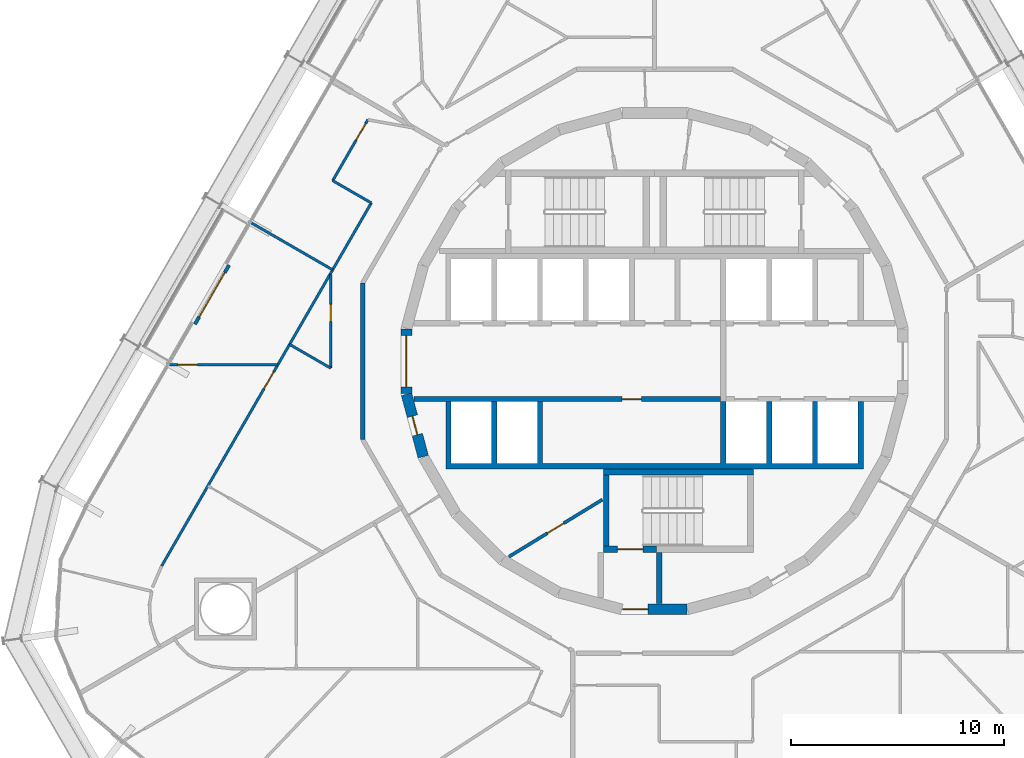
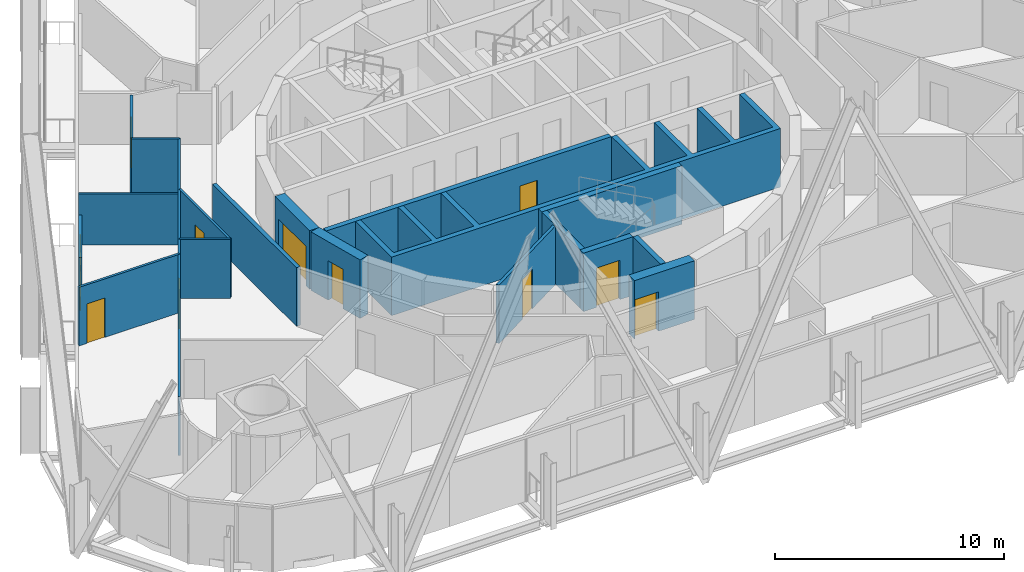
# One storey, part 16 of 22: 20 walls, 11 doors, 11 openings.
"""IFC4 building model written with IfcOpenShell, lengths in metres."""

from ifc_helpers import new_model, si_unit, direction, frame, frame_2d, origin, place, context, subcontext, project, spatial, polyline, rectangle, outline, extrude, material, layer, layer_set, type_object, element, fill, save


model = new_model("IFC4")

# Units and contexts
model_context = context("Model", 3, precision=1e-05, world=origin(), true_north=direction((0.0, 1.0)))
body_context = subcontext(model_context, "Body", "Model", "MODEL_VIEW")
ifc_project = project(units=[si_unit("LENGTHUNIT", "METRE"), si_unit("AREAUNIT", "SQUARE_METRE"), si_unit("VOLUMEUNIT", "CUBIC_METRE"), si_unit("PLANEANGLEUNIT", "RADIAN"), si_unit("MASSUNIT", "GRAM", prefix="KILO")], contexts=[model_context])

# Site, building, storey
site_placement = place(None, origin())
site = spatial("IfcSite", under=ifc_project, at=site_placement, CompositionType="ELEMENT")
building_placement = place(site_placement, origin())
building = spatial("IfcBuilding", under=site, at=building_placement, Name="Spindle Arch Residences", CompositionType="ELEMENT")
storey_placement = place(building_placement, frame((0.0, 0.0, 52.39990234375)))
storey = spatial("IfcBuildingStorey", under=building, at=storey_placement, Name="L11", CompositionType="ELEMENT", Elevation=52.39990234375)

# Wall, opening, door
ifc_material_1 = material(Name="Concrete C50/60", Category="concrete")
ifc_layer_1 = layer(ifc_material_1, 0.5)
ifc_layer_set_1 = layer_set([ifc_layer_1], Name="Core outline wall 500")
wall_type_1 = type_object("IfcWallType", Name="Core outline wall 500", PredefinedType="SHEAR", material=ifc_layer_set_1)
wall_1_placement = place(storey_placement, frame((-11.647216796875, 1.516357421875, 0.0), z_axis=(0.0, 0.0, 1.0), x_axis=(0.0, -1.0, 0.0)))
wall_1 = element("IfcWall", 1, at=wall_1_placement, inside=storey, type_object=wall_type_1, Name="Core outline wall 18", PredefinedType="SHEAR", context=body_context, shape_type="SweptSolid", body=[
    extrude(rectangle(XDim=3.03271484375, YDim=0.5, at=frame_2d((1.516357421875, 0.0))), origin(), (0.0, 0.0, 1.0), 3.1201171875),
])
opening_1_placement = place(wall_1_placement, frame((0.31640625, 0.0, 0.0)))
opening_1 = element("IfcOpeningElement", 2, at=opening_1_placement, cuts=wall_1, Name="Opening R1B0-LE01", PredefinedType="OPENING", context=body_context, shape_type="SweptSolid", body=[
    extrude(rectangle(XDim=2.39990234375, YDim=2.10009765625, at=frame_2d((1.199951171875, 1.050048828125))), frame((0.0, 0.260009765625, 0.0), z_axis=(0.0, -1.0, 0.0), x_axis=(1.0, 0.0, 0.0)), (0.0, 0.0, 1.0), 0.52001953125),
])
ifc_material_2 = material(Name="Steel, fire-resisting door", Category="steel")
door_type_1 = type_object("IfcDoorType", Name="Lift lobby entrance door 2400x2100", OperationType="DOUBLE_DOOR_SINGLE_SWING", PredefinedType="DOOR", material=ifc_material_2)
door_1_placement = place(opening_1_placement, origin())
door_1 = element("IfcDoor", 3, at=door_1_placement, inside=storey, type_object=door_type_1, Name="Lift lobby entrance door R1B0-LE01", OperationType="DOUBLE_DOOR_SINGLE_SWING", OverallHeight=2.10009765625, OverallWidth=2.39990234375, PredefinedType="DOOR", context=body_context, shape_type="SweptSolid", body=[
    extrude(rectangle(XDim=2.39990234375, YDim=2.10009765625, at=frame_2d((1.199951171875, 1.050048828125))), frame((0.0, 0.02490234375, 0.0), z_axis=(0.0, -1.0, 0.0), x_axis=(1.0, 0.0, 0.0)), (0.0, 0.0, 1.0), 0.050048828125),
])
fill(opening_1, door_1)

wall_2_placement = place(storey_placement, frame((-11.642822265625, -1.5498046875, 0.0), z_axis=(0.0, 0.0, 1.0), x_axis=(0.258734743916, -0.965948410781, 0.0)))
wall_2 = element("IfcWall", 4, at=wall_2_placement, inside=storey, type_object=wall_type_1, Name="Core outline wall 19", PredefinedType="SHEAR", context=body_context, shape_type="SweptSolid", body=[
    extrude(rectangle(XDim=3.03271484375, YDim=0.5, at=frame_2d((1.516357421875, 0.0))), origin(), (0.0, 0.0, 1.0), 3.1201171875),
])
opening_2_placement = place(wall_2_placement, frame((1.06640625, 0.0, 0.0)))
opening_2 = element("IfcOpeningElement", 5, at=opening_2_placement, cuts=wall_2, Name="Opening R1B0-WD09", PredefinedType="OPENING", context=body_context, shape_type="SweptSolid", body=[
    extrude(rectangle(XDim=0.89990234375, YDim=2.10009765625, at=frame_2d((0.449951171875, 1.050048828125))), frame((0.0, 0.260009765625, 0.0), z_axis=(0.0, -1.0, 0.0), x_axis=(1.0, 0.0, 0.0)), (0.0, 0.0, 1.0), 0.52001953125),
])
ifc_material_3 = material(Name="Steel, fire-resisting door", Category="steel")
door_type_2 = type_object("IfcDoorType", Name="Service room door 900x2100", OperationType="SINGLE_SWING_LEFT", PredefinedType="DOOR", material=ifc_material_3)
door_2_placement = place(opening_2_placement, origin())
door_2 = element("IfcDoor", 6, at=door_2_placement, inside=storey, type_object=door_type_2, Name="Service room door R1B0-WD09", OperationType="SINGLE_SWING_RIGHT", OverallHeight=2.10009765625, OverallWidth=0.89990234375, PredefinedType="DOOR", context=body_context, shape_type="SweptSolid", body=[
    extrude(rectangle(XDim=0.89990234375, YDim=2.10009765625, at=frame_2d((0.449951171875, 1.050048828125))), frame((0.0, 0.02490234375, 0.0), z_axis=(0.0, -1.0, 0.0), x_axis=(1.0, 0.0, 0.0)), (0.0, 0.0, 1.0), 0.050048828125),
])
fill(opening_2, door_2)

wall_3_placement = place(storey_placement, frame((-1.516357421875, -11.647216796875, 0.0), z_axis=(0.0, 0.0, 1.0), x_axis=(1.0, 0.0, 0.0)))
wall_3 = element("IfcWall", 7, at=wall_3_placement, inside=storey, type_object=wall_type_1, Name="Core outline wall 24", PredefinedType="SHEAR", context=body_context, shape_type="SweptSolid", body=[
    extrude(rectangle(XDim=3.03271484375, YDim=0.5, at=frame_2d((1.516357421875, 0.0))), origin(), (0.0, 0.0, 1.0), 3.1201171875),
])
opening_3_placement = place(wall_3_placement, frame((0.016357421875, 0.0, 0.0)))
opening_3 = element("IfcOpeningElement", 8, at=opening_3_placement, cuts=wall_3, Name="Opening R1B0-AD03", PredefinedType="OPENING", context=body_context, shape_type="SweptSolid", body=[
    extrude(rectangle(XDim=1.199951171875, YDim=2.10009765625, at=frame_2d((0.60009765625, 1.050048828125))), frame((0.0, 0.260009765625, 0.0), z_axis=(0.0, -1.0, 0.0), x_axis=(1.0, 0.0, 0.0)), (0.0, 0.0, 1.0), 0.52001953125),
])
ifc_material_4 = material(Name="Steel, fire-resisting door", Category="steel")
door_type_3 = type_object("IfcDoorType", Name="Stair airlock door 1200x2100", OperationType="SINGLE_SWING_LEFT", PredefinedType="DOOR", material=ifc_material_4)
door_3_placement = place(opening_3_placement, origin())
door_3 = element("IfcDoor", 9, at=door_3_placement, inside=storey, type_object=door_type_3, Name="Stair airlock door R1B0-AD03", OperationType="SINGLE_SWING_RIGHT", OverallHeight=2.10009765625, OverallWidth=1.199951171875, PredefinedType="DOOR", context=body_context, shape_type="SweptSolid", body=[
    extrude(rectangle(XDim=1.199951171875, YDim=2.10009765625, at=frame_2d((0.60009765625, 1.050048828125))), frame((0.0, 0.02490234375, 0.0), z_axis=(0.0, -1.0, 0.0), x_axis=(1.0, 0.0, 0.0)), (0.0, 0.0, 1.0), 0.050048828125),
])
fill(opening_3, door_3)

# Wall
ifc_material_5 = material(Name="Calcium silicate block, plastered")
ifc_layer_2 = layer(ifc_material_5, 0.199951171875)
ifc_layer_set_2 = layer_set([ifc_layer_2], Name="Corridor wall 200")
wall_type_2 = type_object("IfcWallType", Name="Corridor wall 200", PredefinedType="STANDARD", material=ifc_layer_set_2)
wall_4_placement = place(storey_placement, frame((-13.699951171875, 3.6708984375, 0.0), z_axis=(0.0, 0.0, 1.0), x_axis=(0.0, -1.0, 0.0)))
element("IfcWall", 10, at=wall_4_placement, inside=storey, type_object=wall_type_2, Name="Corridor wall R1B0-W011", PredefinedType="STANDARD", context=body_context, shape_type="SweptSolid", body=[
    extrude(rectangle(XDim=7.341796875, YDim=0.199951171875, at=frame_2d((3.6708984375, 0.0))), origin(), (0.0, 0.0, 1.0), 3.1201171875),
])

# Wall, opening, door
ifc_material_6 = material(Name="Plasterboard on steel studs", Category="steel")
ifc_layer_3 = layer(ifc_material_6, 0.1201171875)
ifc_layer_set_3 = layer_set([ifc_layer_3], Name="Flat partition 120")
wall_type_3 = type_object("IfcWallType", Name="Flat partition 120", PredefinedType="PARTITIONING", material=ifc_layer_set_3)
wall_5_placement = place(storey_placement, frame((-13.45654296875, 11.33154296875, 0.0), z_axis=(0.0, 0.0, 1.0), x_axis=(-0.499974350878, -0.866040211805, 0.0)))
wall_5 = element("IfcWall", 11, at=wall_5_placement, inside=storey, type_object=wall_type_3, Name="Flat partition R1B0-W063", PredefinedType="PARTITIONING", context=body_context, shape_type="SweptSolid", body=[
    extrude(rectangle(XDim=3.300048828125, YDim=0.1201171875, at=frame_2d((1.64990234375, 0.0))), origin(), (0.0, 0.0, 1.0), 3.1201171875),
])
opening_4_placement = place(wall_5_placement, frame((0.199951171875, 0.0, 0.0)))
opening_4 = element("IfcOpeningElement", 12, at=opening_4_placement, cuts=wall_5, Name="Opening R1B0-ID13", PredefinedType="OPENING", context=body_context, shape_type="SweptSolid", body=[
    extrude(rectangle(XDim=0.89990234375, YDim=2.10009765625, at=frame_2d((0.449951171875, 1.050048828125))), frame((0.0, 0.070068359375, 0.0), z_axis=(0.0, -1.0, 0.0), x_axis=(1.0, 0.0, 0.0)), (0.0, 0.0, 1.0), 0.14013671875),
])
ifc_material_7 = material(Name="Timber door set", Category="wood")
door_type_4 = type_object("IfcDoorType", Name="Room door 900x2100", OperationType="NOTDEFINED", PredefinedType="DOOR", material=ifc_material_7)
door_4_placement = place(opening_4_placement, origin())
door_4 = element("IfcDoor", 13, at=door_4_placement, inside=storey, type_object=door_type_4, Name="Room door R1B0-ID13", OperationType="SINGLE_SWING_LEFT", OverallHeight=2.10009765625, OverallWidth=0.89990234375, PredefinedType="DOOR", context=body_context, shape_type="SweptSolid", body=[
    extrude(rectangle(XDim=0.89990234375, YDim=2.10009765625, at=frame_2d((0.449951171875, 1.050048828125))), frame((0.0, 0.02490234375, 0.0), z_axis=(0.0, -1.0, 0.0), x_axis=(1.0, 0.0, 0.0)), (0.0, 0.0, 1.0), 0.050048828125),
])
fill(opening_4, door_4)

# Walls
wall_6_placement = place(storey_placement, frame((-15.1064453125, 8.4736328125, 0.0), z_axis=(0.0, 0.0, 1.0), x_axis=(0.866041603473, -0.499971940267, 0.0)))
element("IfcWall", 14, at=wall_6_placement, inside=storey, type_object=wall_type_3, Name="Flat partition R1B0-W064", PredefinedType="PARTITIONING", context=body_context, shape_type="SweptSolid", body=[
    extrude(rectangle(XDim=2.08935546875, YDim=0.1201171875, at=frame_2d((1.044677734375, 0.0))), origin(), (0.0, 0.0, 1.0), 3.1201171875),
])
wall_7_placement = place(storey_placement, frame((-13.296875, 7.428955078125, 0.0), z_axis=(0.0, 0.0, 1.0), x_axis=(-0.49999903102, -0.866025963225, 0.0)))
element("IfcWall", 15, at=wall_7_placement, inside=storey, type_object=wall_type_3, Name="Flat partition R1B0-W065", PredefinedType="PARTITIONING", context=body_context, shape_type="SweptSolid", body=[
    extrude(rectangle(XDim=7.66650390625, YDim=0.1201171875, at=frame_2d((3.833251953125, 0.0))), origin(), (0.0, 0.0, 1.0), 3.1201171875),
])

# Wall, opening, door
wall_8_placement = place(storey_placement, frame((-17.130126953125, 0.78955078125, 0.0), z_axis=(0.0, 0.0, 1.0), x_axis=(-0.499997052475, -0.866027105532, 0.0)))
wall_8 = element("IfcWall", 16, at=wall_8_placement, inside=storey, type_object=wall_type_3, Name="Flat partition R1B0-W066", PredefinedType="PARTITIONING", context=body_context, shape_type="SweptSolid", body=[
    extrude(rectangle(XDim=12.005859375, YDim=0.1201171875, at=frame_2d((6.0029296875, 0.0))), origin(), (0.0, 0.0, 1.0), 3.1201171875),
])
opening_5_placement = place(wall_8_placement, frame((1.498291015625, 0.0, 0.0)))
opening_5 = element("IfcOpeningElement", 17, at=opening_5_placement, cuts=wall_8, Name="Opening R1B0-ID14", PredefinedType="OPENING", context=body_context, shape_type="SweptSolid", body=[
    extrude(rectangle(XDim=0.89990234375, YDim=2.10009765625, at=frame_2d((0.449951171875, 1.050048828125))), frame((0.0, 0.070068359375, 0.0), z_axis=(0.0, -1.0, 0.0), x_axis=(1.0, 0.0, 0.0)), (0.0, 0.0, 1.0), 0.14013671875),
])
door_5_placement = place(opening_5_placement, origin())
door_5 = element("IfcDoor", 18, at=door_5_placement, inside=storey, type_object=door_type_4, Name="Room door R1B0-ID14", OperationType="SINGLE_SWING_RIGHT", OverallHeight=2.10009765625, OverallWidth=0.89990234375, PredefinedType="DOOR", context=body_context, shape_type="SweptSolid", body=[
    extrude(rectangle(XDim=0.89990234375, YDim=2.10009765625, at=frame_2d((0.449951171875, 1.050048828125))), frame((0.0, 0.02490234375, 0.0), z_axis=(0.0, -1.0, 0.0), x_axis=(1.0, 0.0, 0.0)), (0.0, 0.0, 1.0), 0.050048828125),
])
fill(opening_5, door_5)

wall_9_placement = place(storey_placement, frame((-15.199951171875, 4.07275390625, 0.0), z_axis=(0.0, 0.0, 1.0), x_axis=(0.0, -1.0, 0.0)))
wall_9 = element("IfcWall", 19, at=wall_9_placement, inside=storey, type_object=wall_type_3, Name="Flat partition R1B0-W067", PredefinedType="PARTITIONING", context=body_context, shape_type="SweptSolid", body=[
    extrude(rectangle(XDim=4.397705078125, YDim=0.1201171875, at=frame_2d((2.19873046875, 0.0))), origin(), (0.0, 0.0, 1.0), 3.1201171875),
])
opening_6_placement = place(wall_9_placement, frame((1.39990234375, 0.0, 0.0)))
opening_6 = element("IfcOpeningElement", 20, at=opening_6_placement, cuts=wall_9, Name="Opening R1B0-BD03", PredefinedType="OPENING", context=body_context, shape_type="SweptSolid", body=[
    extrude(rectangle(XDim=0.800048828125, YDim=2.10009765625, at=frame_2d((0.39990234375, 1.050048828125))), frame((0.0, 0.070068359375, 0.0), z_axis=(0.0, -1.0, 0.0), x_axis=(1.0, 0.0, 0.0)), (0.0, 0.0, 1.0), 0.14013671875),
])
ifc_material_8 = material(Name="Timber door set", Category="wood")
door_type_5 = type_object("IfcDoorType", Name="Bathroom door 800x2100", OperationType="NOTDEFINED", PredefinedType="DOOR", material=ifc_material_8)
door_6_placement = place(opening_6_placement, origin())
door_6 = element("IfcDoor", 21, at=door_6_placement, inside=storey, type_object=door_type_5, Name="Bathroom door R1B0-BD03", OperationType="SINGLE_SWING_RIGHT", OverallHeight=2.10009765625, OverallWidth=0.800048828125, PredefinedType="DOOR", context=body_context, shape_type="SweptSolid", body=[
    extrude(rectangle(XDim=0.800048828125, YDim=2.10009765625, at=frame_2d((0.39990234375, 1.050048828125))), frame((0.0, 0.02490234375, 0.0), z_axis=(0.0, -1.0, 0.0), x_axis=(1.0, 0.0, 0.0)), (0.0, 0.0, 1.0), 0.050048828125),
])
fill(opening_6, door_6)

# Wall
wall_10_placement = place(storey_placement, frame((-15.199951171875, -0.324951171875, 0.0), z_axis=(0.0, 0.0, 1.0), x_axis=(-0.866003168561, 0.500038510559, 0.0)))
element("IfcWall", 22, at=wall_10_placement, inside=storey, type_object=wall_type_3, Name="Flat partition R1B0-W068", PredefinedType="PARTITIONING", context=body_context, shape_type="SweptSolid", body=[
    extrude(rectangle(XDim=2.228759765625, YDim=0.1201171875, at=frame_2d((1.1142578125, 0.0))), origin(), (0.0, 0.0, 1.0), 3.1201171875),
])

# Wall, opening, door
wall_11_placement = place(storey_placement, frame((-22.760009765625, -0.161865234375, 0.0), z_axis=(0.0, 0.0, 1.0), x_axis=(1.0, 0.0, 0.0)))
wall_11 = element("IfcWall", 23, at=wall_11_placement, inside=storey, type_object=wall_type_3, Name="Flat partition R1B0-W071", PredefinedType="PARTITIONING", context=body_context, shape_type="SweptSolid", body=[
    extrude(rectangle(XDim=5.08056640625, YDim=0.1201171875, at=frame_2d((2.540283203125, 0.0))), origin(), (0.0, 0.0, 1.0), 3.1201171875),
])
opening_7_placement = place(wall_11_placement, frame((0.39990234375, 0.0, 0.0)))
opening_7 = element("IfcOpeningElement", 24, at=opening_7_placement, cuts=wall_11, Name="Opening R1B0-ID16", PredefinedType="OPENING", context=body_context, shape_type="SweptSolid", body=[
    extrude(rectangle(XDim=0.89990234375, YDim=2.10009765625, at=frame_2d((0.449951171875, 1.050048828125))), frame((0.0, 0.070068359375, 0.0), z_axis=(0.0, -1.0, 0.0), x_axis=(1.0, 0.0, 0.0)), (0.0, 0.0, 1.0), 0.14013671875),
])
door_7_placement = place(opening_7_placement, origin())
door_7 = element("IfcDoor", 25, at=door_7_placement, inside=storey, type_object=door_type_4, Name="Room door R1B0-ID16", OperationType="SINGLE_SWING_LEFT", OverallHeight=2.10009765625, OverallWidth=0.89990234375, PredefinedType="DOOR", context=body_context, shape_type="SweptSolid", body=[
    extrude(rectangle(XDim=0.89990234375, YDim=2.10009765625, at=frame_2d((0.449951171875, 1.050048828125))), frame((0.0, 0.02490234375, 0.0), z_axis=(0.0, -1.0, 0.0), x_axis=(1.0, 0.0, 0.0)), (0.0, 0.0, 1.0), 0.050048828125),
])
fill(opening_7, door_7)

# Wall
ifc_material_9 = material(Name="Plasterboard on steel studs", Category="steel")
ifc_layer_4 = layer(ifc_material_9, 0.1201171875)
ifc_layer_set_4 = layer_set([ifc_layer_4], Name="Flat partition 120 under beam 2730")
wall_type_4 = type_object("IfcWallType", Name="Flat partition 120 under beam 2730", PredefinedType="PARTITIONING", material=ifc_layer_set_4)
wall_12_placement = place(storey_placement, frame((-18.919921875, 6.489501953125, 0.0), z_axis=(0.0, 0.0, 1.0), x_axis=(0.865994303029, -0.500053864221, 0.0)))
element("IfcWall", 26, at=wall_12_placement, inside=storey, type_object=wall_type_4, Name="Flat partition R1B0-W070", PredefinedType="PARTITIONING", context=body_context, shape_type="SweptSolid", body=[
    extrude(rectangle(XDim=4.39990234375, YDim=0.1201171875, at=frame_2d((2.199951171875, 0.0))), origin(), (0.0, 0.0, 1.0), 2.72998046875),
])

# Wall, opening, door
ifc_material_10 = material(Name="Non-combustible mineral wool insulated aluminium faced external wall (K0)", Category="aluminium")
ifc_layer_5 = layer(ifc_material_10, 0.159912109375)
ifc_layer_set_5 = layer_set([ifc_layer_5], Name="Insulated external wall panel 160")
wall_type_5 = type_object("IfcWallType", Name="Insulated external wall panel 160", PredefinedType="STANDARD", material=ifc_layer_set_5)
wall_13_placement = place(storey_placement, frame((-19.970703125, 4.509521484375, 0.0), z_axis=(0.0, 0.0, 1.0), x_axis=(-0.500028443584, -0.866008981251, 0.0)))
wall_13 = element("IfcWall", 27, at=wall_13_placement, inside=storey, type_object=wall_type_5, Name="External wall L11 bay 17", PredefinedType="STANDARD", context=body_context, shape_type="SweptSolid", body=[
    extrude(rectangle(XDim=3.199951171875, YDim=0.159912109375, at=frame_2d((1.60009765625, 0.0))), origin(), (0.0, 0.0, 1.0), 3.1201171875),
])
opening_8_placement = place(wall_13_placement, frame((0.39990234375, 0.0, 0.0)))
opening_8 = element("IfcOpeningElement", 28, at=opening_8_placement, cuts=wall_13, Name="Opening BD17", PredefinedType="OPENING", context=body_context, shape_type="SweptSolid", body=[
    extrude(rectangle(XDim=2.39990234375, YDim=2.39990234375, at=frame_2d((1.199951171875, 1.199951171875))), frame((0.0, 0.08984375, 0.0), z_axis=(0.0, -1.0, 0.0), x_axis=(1.0, 0.0, 0.0)), (0.0, 0.0, 1.0), 0.179931640625),
])
ifc_material_11 = material(Name="Bronze aluminium frame, tinted double glazing", Category="aluminium")
door_type_6 = type_object("IfcDoorType", Name="Sliding glazed balcony door 2400x2400", OperationType="DOUBLE_DOOR_SLIDING", PredefinedType="DOOR", material=ifc_material_11)
door_8_placement = place(opening_8_placement, origin())
door_8 = element("IfcDoor", 29, at=door_8_placement, inside=storey, type_object=door_type_6, Name="Balcony door BD17", OperationType="DOUBLE_DOOR_SLIDING", OverallHeight=2.39990234375, OverallWidth=2.39990234375, PredefinedType="DOOR", context=body_context, shape_type="SweptSolid", body=[
    extrude(rectangle(XDim=2.39990234375, YDim=2.39990234375, at=frame_2d((1.199951171875, 1.199951171875))), frame((0.0, 0.02490234375, 0.0), z_axis=(0.0, -1.0, 0.0), x_axis=(1.0, 0.0, 0.0)), (0.0, 0.0, 1.0), 0.050048828125),
])
fill(opening_8, door_8)

ifc_material_12 = material(Name="Concrete C50/60", Category="concrete")
ifc_layer_6 = layer(ifc_material_12, 0.25)
ifc_layer_set_6 = layer_set([ifc_layer_6], Name="Lift shaft wall 250")
wall_type_6 = type_object("IfcWallType", Name="Lift shaft wall 250", PredefinedType="SHEAR", material=ifc_layer_set_6)
wall_14_placement = place(storey_placement, frame((-11.280029296875, -1.77490234375, 0.0), z_axis=(0.0, 0.0, 1.0), x_axis=(1.0, 0.0, 0.0)))
wall_14 = element("IfcWall", 30, at=wall_14_placement, inside=storey, type_object=wall_type_6, Name="Lift shaft front wall SW", PredefinedType="SHEAR", context=body_context, shape_type="SweptSolid", body=[
    extrude(rectangle(XDim=14.380126953125, YDim=0.25, at=frame_2d((7.18994140625, 0.0))), origin(), (0.0, 0.0, 1.0), 3.1201171875),
])
opening_9_placement = place(wall_14_placement, frame((9.7548828125, 0.0, 0.0)))
opening_9 = element("IfcOpeningElement", 31, at=opening_9_placement, cuts=wall_14, Name="Opening R1B0-WD04", PredefinedType="OPENING", context=body_context, shape_type="SweptSolid", body=[
    extrude(rectangle(XDim=0.89990234375, YDim=2.10009765625, at=frame_2d((0.449951171875, 1.050048828125))), frame((0.0, 0.135009765625, 0.0), z_axis=(0.0, -1.0, 0.0), x_axis=(1.0, 0.0, 0.0)), (0.0, 0.0, 1.0), 0.27001953125),
])
door_9_placement = place(opening_9_placement, origin())
door_9 = element("IfcDoor", 32, at=door_9_placement, inside=storey, type_object=door_type_2, Name="Service room door R1B0-WD04", OperationType="SINGLE_SWING_LEFT", OverallHeight=2.10009765625, OverallWidth=0.89990234375, PredefinedType="DOOR", context=body_context, shape_type="SweptSolid", body=[
    extrude(rectangle(XDim=0.89990234375, YDim=2.10009765625, at=frame_2d((0.449951171875, 1.050048828125))), frame((0.0, 0.02490234375, 0.0), z_axis=(0.0, -1.0, 0.0), x_axis=(1.0, 0.0, 0.0)), (0.0, 0.0, 1.0), 0.050048828125),
])
fill(opening_9, door_9)

# Wall
ifc_material_13 = material(Name="Concrete C50/60", Category="concrete")
wall_type_7 = type_object("IfcWallType", Name="Lift shaft wall profile", PredefinedType="SHEAR", material=ifc_material_13)
wall_15_placement = place(storey_placement, origin())
element("IfcWall", 33, at=wall_15_placement, inside=storey, type_object=wall_type_7, Name="Lift shaft walls S", PredefinedType="SHEAR", context=body_context, shape_type="SweptSolid", body=[
    extrude(outline(polyline([(9.800048828125, -5.050048828125), (9.800048828125, -4.800048828125), (9.800048828125, -1.89990234375), (9.550048828125, -1.89990234375), (9.550048828125, -4.800048828125), (7.64990234375, -4.800048828125), (7.64990234375, -1.89990234375), (7.39990234375, -1.89990234375), (7.39990234375, -4.800048828125), (5.5, -4.800048828125), (5.5, -1.89990234375), (5.25, -1.89990234375), (5.25, -4.800048828125), (3.35009765625, -4.800048828125), (3.35009765625, -1.89990234375), (3.10009765625, -1.89990234375), (3.10009765625, -4.800048828125), (-5.25, -4.800048828125), (-5.25, -1.89990234375), (-5.5, -1.89990234375), (-5.5, -4.800048828125), (-7.39990234375, -4.800048828125), (-7.39990234375, -1.89990234375), (-7.64990234375, -1.89990234375), (-7.64990234375, -4.800048828125), (-9.550048828125, -4.800048828125), (-9.550048828125, -1.89990234375), (-9.800048828125, -1.89990234375), (-9.800048828125, -4.800048828125), (-9.800048828125, -5.050048828125), (9.800048828125, -5.050048828125)])), origin(), (0.0, 0.0, 1.0), 3.1201171875),
])

# Wall, opening, door
ifc_material_14 = material(Name="Concrete C25/30", Category="concrete")
ifc_layer_7 = layer(ifc_material_14, 0.14990234375)
ifc_layer_set_7 = layer_set([ifc_layer_7], Name="Service room partition 150")
wall_type_8 = type_object("IfcWallType", Name="Service room partition 150", PredefinedType="PARTITIONING", material=ifc_layer_set_7)
wall_16_placement = place(storey_placement, frame((-2.451171875, -6.49462890625, 0.0), z_axis=(0.0, 0.0, 1.0), x_axis=(-0.853250115418, -0.521501908471, 0.0)))
wall_16 = element("IfcWall", 34, at=wall_16_placement, inside=storey, type_object=wall_type_8, Name="Core service room partition", PredefinedType="PARTITIONING", context=body_context, shape_type="SweptSolid", body=[
    extrude(rectangle(XDim=5.137451171875, YDim=0.14990234375, at=frame_2d((2.56884765625, 0.0))), origin(), (0.0, 0.0, 1.0), 3.1201171875),
])
opening_10_placement = place(wall_16_placement, frame((2.11865234375, 0.0, 0.0)))
opening_10 = element("IfcOpeningElement", 35, at=opening_10_placement, cuts=wall_16, Name="Opening R1B0-WD05", PredefinedType="OPENING", context=body_context, shape_type="SweptSolid", body=[
    extrude(rectangle(XDim=0.89990234375, YDim=2.10009765625, at=frame_2d((0.449951171875, 1.050048828125))), frame((0.0, 0.0849609375, 0.0), z_axis=(0.0, -1.0, 0.0), x_axis=(1.0, 0.0, 0.0)), (0.0, 0.0, 1.0), 0.169921875),
])
door_10_placement = place(opening_10_placement, origin())
door_10 = element("IfcDoor", 36, at=door_10_placement, inside=storey, type_object=door_type_2, Name="Service room door R1B0-WD05", OperationType="SINGLE_SWING_RIGHT", OverallHeight=2.10009765625, OverallWidth=0.89990234375, PredefinedType="DOOR", context=body_context, shape_type="SweptSolid", body=[
    extrude(rectangle(XDim=0.89990234375, YDim=2.10009765625, at=frame_2d((0.449951171875, 1.050048828125))), frame((0.0, 0.02490234375, 0.0), z_axis=(0.0, -1.0, 0.0), x_axis=(1.0, 0.0, 0.0)), (0.0, 0.0, 1.0), 0.050048828125),
])
fill(opening_10, door_10)

# Walls
ifc_material_15 = material(Name="Concrete C40/50", Category="concrete")
ifc_layer_8 = layer(ifc_material_15, 0.25)
ifc_layer_set_8 = layer_set([ifc_layer_8], Name="Stair airlock wall 250")
wall_type_9 = type_object("IfcWallType", Name="Stair airlock wall 250", PredefinedType="SHEAR", material=ifc_layer_set_8)
wall_17_placement = place(storey_placement, frame((0.22509765625, -8.969970703125, 0.0), z_axis=(0.0, 0.0, 1.0), x_axis=(0.0, -1.0, 0.0)))
element("IfcWall", 37, at=wall_17_placement, inside=storey, type_object=wall_type_9, Name="Stair ST-3 airlock wall E", PredefinedType="SHEAR", context=body_context, shape_type="SweptSolid", body=[
    extrude(rectangle(XDim=2.409912109375, YDim=0.25, at=frame_2d((1.205078125, 0.0))), origin(), (0.0, 0.0, 1.0), 3.1201171875),
])
ifc_material_16 = material(Name="Concrete C50/60", Category="concrete")
ifc_layer_9 = layer(ifc_material_16, 0.25)
ifc_layer_set_9 = layer_set([ifc_layer_9], Name="Stair enclosure wall 250")
wall_type_10 = type_object("IfcWallType", Name="Stair enclosure wall 250", PredefinedType="SHEAR", material=ifc_layer_set_9)
wall_18_placement = place(storey_placement, frame((-2.27490234375, -8.669921875, 0.0), z_axis=(0.0, 0.0, 1.0), x_axis=(0.0, 1.0, 0.0)))
element("IfcWall", 38, at=wall_18_placement, inside=storey, type_object=wall_type_10, Name="Stair ST-3 enclosure wall W", PredefinedType="SHEAR", context=body_context, shape_type="SweptSolid", body=[
    extrude(rectangle(XDim=3.31982421875, YDim=0.25, at=frame_2d((1.659912109375, 0.0))), origin(), (0.0, 0.0, 1.0), 3.1201171875),
])
ifc_material_17 = material(Name="Concrete C50/60", Category="concrete")
ifc_layer_10 = layer(ifc_material_17, 0.300048828125)
ifc_layer_set_10 = layer_set([ifc_layer_10], Name="Stair enclosure wall 300")
wall_type_11 = type_object("IfcWallType", Name="Stair enclosure wall 300", PredefinedType="SHEAR", material=ifc_layer_set_10)
wall_19_placement = place(storey_placement, frame((-2.39990234375, -5.199951171875, 0.0), z_axis=(0.0, 0.0, 1.0), x_axis=(1.0, 0.0, 0.0)))
element("IfcWall", 39, at=wall_19_placement, inside=storey, type_object=wall_type_11, Name="Stair ST-3 enclosure wall N", PredefinedType="SHEAR", context=body_context, shape_type="SweptSolid", body=[
    extrude(rectangle(XDim=7.0498046875, YDim=0.300048828125, at=frame_2d((3.52490234375, 0.0))), origin(), (0.0, 0.0, 1.0), 3.1201171875),
])

# Wall, opening, door
wall_20_placement = place(storey_placement, frame((-2.39990234375, -8.820068359375, 0.0), z_axis=(0.0, 0.0, 1.0), x_axis=(1.0, 0.0, 0.0)))
wall_20 = element("IfcWall", 40, at=wall_20_placement, inside=storey, type_object=wall_type_11, Name="Stair ST-3 door wall", PredefinedType="SHEAR", context=body_context, shape_type="SweptSolid", body=[
    extrude(rectangle(XDim=2.5, YDim=0.300048828125, at=frame_2d((1.25, 0.0))), origin(), (0.0, 0.0, 1.0), 3.1201171875),
])
opening_11_placement = place(wall_20_placement, frame((0.64990234375, 0.0, 0.0)))
opening_11 = element("IfcOpeningElement", 41, at=opening_11_placement, cuts=wall_20, Name="Opening R1B0-SD03", PredefinedType="OPENING", context=body_context, shape_type="SweptSolid", body=[
    extrude(rectangle(XDim=1.199951171875, YDim=2.10009765625, at=frame_2d((0.60009765625, 1.050048828125))), frame((0.0, 0.16015625, 0.0), z_axis=(0.0, -1.0, 0.0), x_axis=(1.0, 0.0, 0.0)), (0.0, 0.0, 1.0), 0.320068359375),
])
ifc_material_18 = material(Name="Steel, fire-resisting door", Category="steel")
door_type_7 = type_object("IfcDoorType", Name="Stair door 1200x2100", OperationType="SINGLE_SWING_RIGHT", PredefinedType="DOOR", material=ifc_material_18)
door_11_placement = place(opening_11_placement, origin())
door_11 = element("IfcDoor", 42, at=door_11_placement, inside=storey, type_object=door_type_7, Name="Stair door R1B0-SD03", OperationType="SINGLE_SWING_LEFT", OverallHeight=2.10009765625, OverallWidth=1.199951171875, PredefinedType="DOOR", context=body_context, shape_type="SweptSolid", body=[
    extrude(rectangle(XDim=1.199951171875, YDim=2.10009765625, at=frame_2d((0.60009765625, 1.050048828125))), frame((0.0, 0.02490234375, 0.0), z_axis=(0.0, -1.0, 0.0), x_axis=(1.0, 0.0, 0.0)), (0.0, 0.0, 1.0), 0.050048828125),
])
fill(opening_11, door_11)

save(model, "model.ifc")
